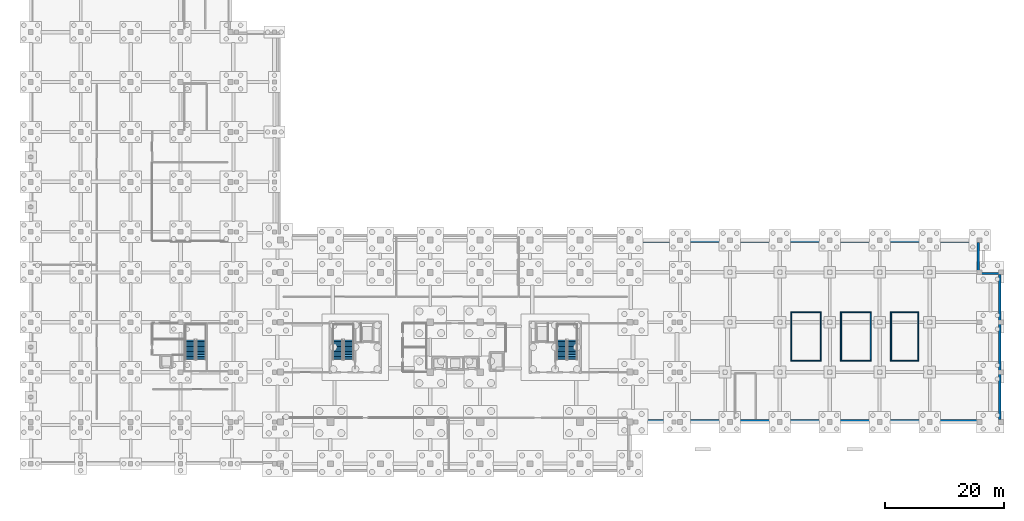
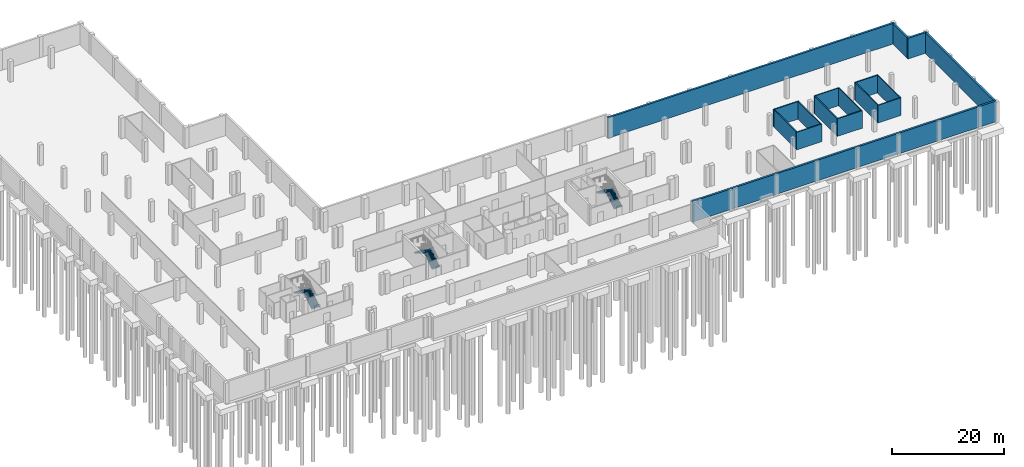
# One storey, part 14 of 17: 17 walls, 6 stair flights, 3 elements without a shape of their own.
"""IFC4 building model written with IfcOpenShell, lengths in metres."""

from ifc_helpers import new_model, si_unit, direction, frame, frame_2d, origin, place, context, subcontext, project, spatial, polyline, rectangle, outline, extrude, material, layer, layer_set, type_object, element, aggregate, save


model = new_model("IFC4")

# Units and contexts
model_context = context("Model", 3, precision=1e-05, world=origin(), true_north=direction((0.0, 1.0)))
body_context = subcontext(model_context, "Body", "Model", "MODEL_VIEW")
ifc_project = project(units=[si_unit("LENGTHUNIT", "METRE"), si_unit("AREAUNIT", "SQUARE_METRE"), si_unit("VOLUMEUNIT", "CUBIC_METRE"), si_unit("PLANEANGLEUNIT", "RADIAN"), si_unit("MASSUNIT", "GRAM", prefix="KILO")], contexts=[model_context])

# Site, building, storey
site_placement = place(None, origin())
site = spatial("IfcSite", under=ifc_project, at=site_placement, CompositionType="ELEMENT")
building_placement = place(site_placement, origin())
building = spatial("IfcBuilding", under=site, at=building_placement, Name="Telukmera Botanical Conservatory", CompositionType="ELEMENT")
storey_placement = place(building_placement, frame((0.0, 0.0, -4.5)))
storey = spatial("IfcBuildingStorey", under=building, at=storey_placement, Name="B1", CompositionType="ELEMENT", Elevation=-4.5)

# Walls
ifc_material = material(Name="Concrete C40/50", Category="concrete")
ifc_layer_1 = layer(ifc_material, 0.39990234375)
ifc_layer_set_1 = layer_set([ifc_layer_1], Name="Concrete C40/50")
wall_type_1 = type_object("IfcWallType", Name="Wall_RW1", PredefinedType="USERDEFINED", material=ifc_layer_set_1)
wall_1_placement = place(storey_placement, frame((108.800048828125, 17.800048828125, 0.0), z_axis=(0.0, 0.0, 1.0), x_axis=(1.0, 0.0, 0.0)))
element("IfcWall", 1, at=wall_1_placement, inside=storey, type_object=wall_type_1, Name="Basement Perimeter Retaining Wall RW1-05", ObjectType="RETAININGWALL", PredefinedType="USERDEFINED", context=body_context, shape_type="SweptSolid", body=[
    extrude(rectangle(XDim=62.800048828125, YDim=0.39990234375, at=frame_2d((31.39990234375, 0.0))), origin(), (0.0, 0.0, 1.0), 4.5),
])
wall_2_placement = place(storey_placement, frame((171.39990234375, 18.0, 0.0), z_axis=(0.0, 0.0, 1.0), x_axis=(0.0, 1.0, 0.0)))
element("IfcWall", 2, at=wall_2_placement, inside=storey, type_object=wall_type_1, Name="Basement Perimeter Retaining Wall RW1-06", ObjectType="RETAININGWALL", PredefinedType="USERDEFINED", context=body_context, shape_type="SweptSolid", body=[
    extrude(rectangle(XDim=24.39990234375, YDim=0.39990234375, at=frame_2d((12.199951171875, 0.0))), origin(), (0.0, 0.0, 1.0), 4.5),
])
wall_3_placement = place(storey_placement, frame((171.60009765625, 42.60009765625, 0.0), z_axis=(0.0, 0.0, 1.0), x_axis=(-1.0, 0.0, 0.0)))
element("IfcWall", 3, at=wall_3_placement, inside=storey, type_object=wall_type_1, Name="Basement Perimeter Retaining Wall RW1-07", ObjectType="RETAININGWALL", PredefinedType="USERDEFINED", context=body_context, shape_type="SweptSolid", body=[
    extrude(rectangle(XDim=4.0, YDim=0.39990234375, at=frame_2d((2.0, 0.0))), origin(), (0.0, 0.0, 1.0), 4.5),
])
wall_4_placement = place(storey_placement, frame((167.800048828125, 42.800048828125, 0.0), z_axis=(0.0, 0.0, 1.0), x_axis=(0.0, 1.0, 0.0)))
element("IfcWall", 4, at=wall_4_placement, inside=storey, type_object=wall_type_1, Name="Basement Perimeter Retaining Wall RW1-08", ObjectType="RETAININGWALL", PredefinedType="USERDEFINED", context=body_context, shape_type="SweptSolid", body=[
    extrude(rectangle(XDim=5.0, YDim=0.39990234375, at=frame_2d((2.5, 0.0))), origin(), (0.0, 0.0, 1.0), 4.5),
])
wall_5_placement = place(storey_placement, frame((168.0, 48.0, 0.0), z_axis=(0.0, 0.0, 1.0), x_axis=(-1.0, 0.0, 0.0)))
element("IfcWall", 5, at=wall_5_placement, inside=storey, type_object=wall_type_1, Name="Basement Perimeter Retaining Wall RW1-09", ObjectType="RETAININGWALL", PredefinedType="USERDEFINED", context=body_context, shape_type="SweptSolid", body=[
    extrude(rectangle(XDim=59.199951171875, YDim=0.39990234375, at=frame_2d((29.60009765625, 0.0))), origin(), (0.0, 0.0, 1.0), 4.5),
])
ifc_layer_2 = layer(ifc_material, 0.199951171875)
ifc_layer_set_2 = layer_set([ifc_layer_2], Name="Concrete C40/50")
wall_type_2 = type_object("IfcWallType", Name="Wall_TW1", PredefinedType="SOLIDWALL", material=ifc_layer_set_2)
for number, where, z_axis, x_axis, name in (
    (6, (136.199951171875, 27.89990234375, 0.0), (0.0, 0.0, 1.0), (1.0, 0.0, 0.0), "Conservatory Soil Bed Trough Substructure Wall 1-S"),
    (7, (136.199951171875, 36.10009765625, 0.0), (0.0, 0.0, 1.0), (1.0, 0.0, 0.0), "Conservatory Soil Bed Trough Substructure Wall 1-N"),
):
    element("IfcWall", number, at=place(storey_placement, frame(where, z_axis=z_axis, x_axis=x_axis)), inside=storey, type_object=wall_type_2, Name=name, PredefinedType="SOLIDWALL", context=body_context, shape_type="SweptSolid", body=[
        extrude(rectangle(XDim=5.199951171875, YDim=0.199951171875, at=frame_2d((2.60009765625, 0.0))), origin(), (0.0, 0.0, 1.0), 3.85009765625),
    ])
for number, where, z_axis, x_axis, name in (
    (8, (136.300048828125, 28.0, 0.0), (0.0, 0.0, 1.0), (0.0, 1.0, 0.0), "Conservatory Soil Bed Trough Substructure Wall 1-W"),
    (9, (141.300048828125, 28.0, 0.0), (0.0, 0.0, 1.0), (0.0, 1.0, 0.0), "Conservatory Soil Bed Trough Substructure Wall 1-E"),
):
    element("IfcWall", number, at=place(storey_placement, frame(where, z_axis=z_axis, x_axis=x_axis)), inside=storey, type_object=wall_type_2, Name=name, PredefinedType="SOLIDWALL", context=body_context, shape_type="SweptSolid", body=[
        extrude(rectangle(XDim=8.0, YDim=0.199951171875, at=frame_2d((4.0, 0.0))), origin(), (0.0, 0.0, 1.0), 3.85009765625),
    ])
for number, where, z_axis, x_axis, name in (
    (10, (144.60009765625, 27.89990234375, 0.0), (0.0, 0.0, 1.0), (1.0, 0.0, 0.0), "Conservatory Soil Bed Trough Substructure Wall 2-S"),
    (11, (144.60009765625, 36.10009765625, 0.0), (0.0, 0.0, 1.0), (1.0, 0.0, 0.0), "Conservatory Soil Bed Trough Substructure Wall 2-N"),
):
    element("IfcWall", number, at=place(storey_placement, frame(where, z_axis=z_axis, x_axis=x_axis)), inside=storey, type_object=wall_type_2, Name=name, PredefinedType="SOLIDWALL", context=body_context, shape_type="SweptSolid", body=[
        extrude(rectangle(XDim=5.199951171875, YDim=0.199951171875, at=frame_2d((2.60009765625, 0.0))), origin(), (0.0, 0.0, 1.0), 3.85009765625),
    ])
for number, where, z_axis, x_axis, name in (
    (12, (144.699951171875, 28.0, 0.0), (0.0, 0.0, 1.0), (0.0, 1.0, 0.0), "Conservatory Soil Bed Trough Substructure Wall 2-W"),
    (13, (149.699951171875, 28.0, 0.0), (0.0, 0.0, 1.0), (0.0, 1.0, 0.0), "Conservatory Soil Bed Trough Substructure Wall 2-E"),
):
    element("IfcWall", number, at=place(storey_placement, frame(where, z_axis=z_axis, x_axis=x_axis)), inside=storey, type_object=wall_type_2, Name=name, PredefinedType="SOLIDWALL", context=body_context, shape_type="SweptSolid", body=[
        extrude(rectangle(XDim=8.0, YDim=0.199951171875, at=frame_2d((4.0, 0.0))), origin(), (0.0, 0.0, 1.0), 3.85009765625),
    ])
for number, where, z_axis, x_axis, name in (
    (14, (153.0, 27.89990234375, 0.0), (0.0, 0.0, 1.0), (1.0, 0.0, 0.0), "Conservatory Soil Bed Trough Substructure Wall 3-S"),
    (15, (153.0, 36.10009765625, 0.0), (0.0, 0.0, 1.0), (1.0, 0.0, 0.0), "Conservatory Soil Bed Trough Substructure Wall 3-N"),
):
    element("IfcWall", number, at=place(storey_placement, frame(where, z_axis=z_axis, x_axis=x_axis)), inside=storey, type_object=wall_type_2, Name=name, PredefinedType="SOLIDWALL", context=body_context, shape_type="SweptSolid", body=[
        extrude(rectangle(XDim=4.800048828125, YDim=0.199951171875, at=frame_2d((2.39990234375, 0.0))), origin(), (0.0, 0.0, 1.0), 3.85009765625),
    ])
for number, where, z_axis, x_axis, name in (
    (16, (153.10009765625, 28.0, 0.0), (0.0, 0.0, 1.0), (0.0, 1.0, 0.0), "Conservatory Soil Bed Trough Substructure Wall 3-W"),
    (17, (157.699951171875, 28.0, 0.0), (0.0, 0.0, 1.0), (0.0, 1.0, 0.0), "Conservatory Soil Bed Trough Substructure Wall 3-E"),
):
    element("IfcWall", number, at=place(storey_placement, frame(where, z_axis=z_axis, x_axis=x_axis)), inside=storey, type_object=wall_type_2, Name=name, PredefinedType="SOLIDWALL", context=body_context, shape_type="SweptSolid", body=[
        extrude(rectangle(XDim=8.0, YDim=0.199951171875, at=frame_2d((4.0, 0.0))), origin(), (0.0, 0.0, 1.0), 3.85009765625),
    ])

# Stair, stair flights
stair_type = type_object("IfcStairType", Name="ST-ESC-4500", PredefinedType="HALF_TURN_STAIR", material=ifc_material)
stair_1_placement = place(storey_placement, origin())
stair_1 = element("IfcStair", 18, at=stair_1_placement, inside=storey, type_object=stair_type, Name="B1 Protected Escape Stair ST1", PredefinedType="HALF_TURN_STAIR")
stair_flight_type = type_object("IfcStairFlightType", Name="SF-ESC-4500", PredefinedType="STRAIGHT", material=ifc_material)
stair_flight_1_placement = place(storey_placement, frame((61.89990234375, 28.090087890625, 0.0), z_axis=(0.0, 0.0, 1.0), x_axis=(0.0, 1.0, 0.0)))
stair_flight_1 = element("IfcStairFlight", 19, at=stair_flight_1_placement, type_object=stair_flight_type, Name="ST1 flight 1", NumberOfRisers=13, NumberOfTreads=12, PredefinedType="STRAIGHT", RiserHeight=0.173076923, TreadLength=0.28, context=body_context, shape_type="SweptSolid", body=[
    extrude(outline(polyline([(0.0, 0.0), (0.0, 0.173095703125), (0.280029296875, 0.173095703125), (0.280029296875, 0.34619140625), (0.56005859375, 0.34619140625), (0.56005859375, 0.519287109375), (0.840087890625, 0.519287109375), (0.840087890625, 0.6923828125), (1.1201171875, 0.6923828125), (1.1201171875, 0.865478515625), (1.39990234375, 0.865478515625), (1.39990234375, 1.03857421875), (1.679931640625, 1.03857421875), (1.679931640625, 1.21142578125), (1.9599609375, 1.21142578125), (1.9599609375, 1.384521484375), (2.239990234375, 1.384521484375), (2.239990234375, 1.5576171875), (2.52001953125, 1.5576171875), (2.52001953125, 1.730712890625), (2.800048828125, 1.730712890625), (2.800048828125, 1.90380859375), (3.080078125, 1.90380859375), (3.080078125, 2.076904296875), (3.360107421875, 2.076904296875), (3.360107421875, 2.25), (3.360107421875, 1.888916015625), (0.30419921875, 0.0), (0.0, 0.0)])), frame((0.0, 0.830078125, 0.0), z_axis=(0.0, -1.0, 0.0), x_axis=(1.0, 0.0, 0.0)), (0.0, 0.0, 1.0), 1.659912109375),
])
stair_flight_2_placement = place(storey_placement, frame((60.080078125, 31.449951171875, 2.25), z_axis=(0.0, 0.0, 1.0), x_axis=(0.0, -1.0, 0.0)))
stair_flight_2 = element("IfcStairFlight", 20, at=stair_flight_2_placement, type_object=stair_flight_type, Name="ST1 flight 2", NumberOfRisers=13, NumberOfTreads=12, PredefinedType="STRAIGHT", RiserHeight=0.173076923, TreadLength=0.28, context=body_context, shape_type="SweptSolid", body=[
    extrude(outline(polyline([(0.0, 0.0), (0.0, 0.173095703125), (0.280029296875, 0.173095703125), (0.280029296875, 0.34619140625), (0.56005859375, 0.34619140625), (0.56005859375, 0.519287109375), (0.840087890625, 0.519287109375), (0.840087890625, 0.6923828125), (1.1201171875, 0.6923828125), (1.1201171875, 0.865478515625), (1.39990234375, 0.865478515625), (1.39990234375, 1.03857421875), (1.679931640625, 1.03857421875), (1.679931640625, 1.21142578125), (1.9599609375, 1.21142578125), (1.9599609375, 1.384521484375), (2.239990234375, 1.384521484375), (2.239990234375, 1.5576171875), (2.52001953125, 1.5576171875), (2.52001953125, 1.730712890625), (2.800048828125, 1.730712890625), (2.800048828125, 1.90380859375), (3.080078125, 1.90380859375), (3.080078125, 2.076904296875), (3.360107421875, 2.076904296875), (3.360107421875, 2.25), (3.360107421875, 1.888916015625), (0.30419921875, 0.0), (0.0, 0.0)])), frame((0.0, 0.830078125, 0.0), z_axis=(0.0, -1.0, 0.0), x_axis=(1.0, 0.0, 0.0)), (0.0, 0.0, 1.0), 1.659912109375),
])
aggregate(stair_1, [stair_flight_1, stair_flight_2])

stair_2_placement = place(storey_placement, origin())
stair_2 = element("IfcStair", 21, at=stair_2_placement, inside=storey, type_object=stair_type, Name="B1 Protected Escape Stair ST2", PredefinedType="HALF_TURN_STAIR")
stair_flight_3_placement = place(storey_placement, frame((99.52001953125, 28.090087890625, 0.0), z_axis=(0.0, 0.0, 1.0), x_axis=(0.0, 1.0, 0.0)))
stair_flight_3 = element("IfcStairFlight", 22, at=stair_flight_3_placement, type_object=stair_flight_type, Name="ST2 flight 1", NumberOfRisers=13, NumberOfTreads=12, PredefinedType="STRAIGHT", RiserHeight=0.173076923, TreadLength=0.28, context=body_context, shape_type="SweptSolid", body=[
    extrude(outline(polyline([(0.0, 0.0), (0.0, 0.173095703125), (0.280029296875, 0.173095703125), (0.280029296875, 0.34619140625), (0.56005859375, 0.34619140625), (0.56005859375, 0.519287109375), (0.840087890625, 0.519287109375), (0.840087890625, 0.6923828125), (1.1201171875, 0.6923828125), (1.1201171875, 0.865478515625), (1.39990234375, 0.865478515625), (1.39990234375, 1.03857421875), (1.679931640625, 1.03857421875), (1.679931640625, 1.21142578125), (1.9599609375, 1.21142578125), (1.9599609375, 1.384521484375), (2.239990234375, 1.384521484375), (2.239990234375, 1.5576171875), (2.52001953125, 1.5576171875), (2.52001953125, 1.730712890625), (2.800048828125, 1.730712890625), (2.800048828125, 1.90380859375), (3.080078125, 1.90380859375), (3.080078125, 2.076904296875), (3.360107421875, 2.076904296875), (3.360107421875, 2.25), (3.360107421875, 1.888916015625), (0.30419921875, 0.0), (0.0, 0.0)])), frame((0.0, 0.830078125, 0.0), z_axis=(0.0, -1.0, 0.0), x_axis=(1.0, 0.0, 0.0)), (0.0, 0.0, 1.0), 1.659912109375),
])
stair_flight_4_placement = place(storey_placement, frame((97.699951171875, 31.449951171875, 2.25), z_axis=(0.0, 0.0, 1.0), x_axis=(0.0, -1.0, 0.0)))
stair_flight_4 = element("IfcStairFlight", 23, at=stair_flight_4_placement, type_object=stair_flight_type, Name="ST2 flight 2", NumberOfRisers=13, NumberOfTreads=12, PredefinedType="STRAIGHT", RiserHeight=0.173076923, TreadLength=0.28, context=body_context, shape_type="SweptSolid", body=[
    extrude(outline(polyline([(0.0, 0.0), (0.0, 0.173095703125), (0.280029296875, 0.173095703125), (0.280029296875, 0.34619140625), (0.56005859375, 0.34619140625), (0.56005859375, 0.519287109375), (0.840087890625, 0.519287109375), (0.840087890625, 0.6923828125), (1.1201171875, 0.6923828125), (1.1201171875, 0.865478515625), (1.39990234375, 0.865478515625), (1.39990234375, 1.03857421875), (1.679931640625, 1.03857421875), (1.679931640625, 1.21142578125), (1.9599609375, 1.21142578125), (1.9599609375, 1.384521484375), (2.239990234375, 1.384521484375), (2.239990234375, 1.5576171875), (2.52001953125, 1.5576171875), (2.52001953125, 1.730712890625), (2.800048828125, 1.730712890625), (2.800048828125, 1.90380859375), (3.080078125, 1.90380859375), (3.080078125, 2.076904296875), (3.360107421875, 2.076904296875), (3.360107421875, 2.25), (3.360107421875, 1.888916015625), (0.30419921875, 0.0), (0.0, 0.0)])), frame((0.0, 0.830078125, 0.0), z_axis=(0.0, -1.0, 0.0), x_axis=(1.0, 0.0, 0.0)), (0.0, 0.0, 1.0), 1.659912109375),
])
aggregate(stair_2, [stair_flight_3, stair_flight_4])

stair_3_placement = place(storey_placement, origin())
stair_3 = element("IfcStair", 24, at=stair_3_placement, inside=storey, type_object=stair_type, Name="B1 Protected Escape Stair ST3", PredefinedType="HALF_TURN_STAIR")
stair_flight_5_placement = place(storey_placement, frame((37.050048828125, 28.090087890625, 0.0), z_axis=(0.0, 0.0, 1.0), x_axis=(0.0, 1.0, 0.0)))
stair_flight_5 = element("IfcStairFlight", 25, at=stair_flight_5_placement, type_object=stair_flight_type, Name="ST3 flight 1", NumberOfRisers=13, NumberOfTreads=12, PredefinedType="STRAIGHT", RiserHeight=0.173076923, TreadLength=0.28, context=body_context, shape_type="SweptSolid", body=[
    extrude(outline(polyline([(0.0, 0.0), (0.0, 0.173095703125), (0.280029296875, 0.173095703125), (0.280029296875, 0.34619140625), (0.56005859375, 0.34619140625), (0.56005859375, 0.519287109375), (0.840087890625, 0.519287109375), (0.840087890625, 0.6923828125), (1.1201171875, 0.6923828125), (1.1201171875, 0.865478515625), (1.39990234375, 0.865478515625), (1.39990234375, 1.03857421875), (1.679931640625, 1.03857421875), (1.679931640625, 1.21142578125), (1.9599609375, 1.21142578125), (1.9599609375, 1.384521484375), (2.239990234375, 1.384521484375), (2.239990234375, 1.5576171875), (2.52001953125, 1.5576171875), (2.52001953125, 1.730712890625), (2.800048828125, 1.730712890625), (2.800048828125, 1.90380859375), (3.080078125, 1.90380859375), (3.080078125, 2.076904296875), (3.360107421875, 2.076904296875), (3.360107421875, 2.25), (3.360107421875, 1.888916015625), (0.30419921875, 0.0), (0.0, 0.0)])), frame((0.0, 0.830078125, 0.0), z_axis=(0.0, -1.0, 0.0), x_axis=(1.0, 0.0, 0.0)), (0.0, 0.0, 1.0), 1.659912109375),
])
stair_flight_6_placement = place(storey_placement, frame((35.22998046875, 31.449951171875, 2.25), z_axis=(0.0, 0.0, 1.0), x_axis=(0.0, -1.0, 0.0)))
stair_flight_6 = element("IfcStairFlight", 26, at=stair_flight_6_placement, type_object=stair_flight_type, Name="ST3 flight 2", NumberOfRisers=13, NumberOfTreads=12, PredefinedType="STRAIGHT", RiserHeight=0.173076923, TreadLength=0.28, context=body_context, shape_type="SweptSolid", body=[
    extrude(outline(polyline([(0.0, 0.0), (0.0, 0.173095703125), (0.280029296875, 0.173095703125), (0.280029296875, 0.34619140625), (0.56005859375, 0.34619140625), (0.56005859375, 0.519287109375), (0.840087890625, 0.519287109375), (0.840087890625, 0.6923828125), (1.1201171875, 0.6923828125), (1.1201171875, 0.865478515625), (1.39990234375, 0.865478515625), (1.39990234375, 1.03857421875), (1.679931640625, 1.03857421875), (1.679931640625, 1.21142578125), (1.9599609375, 1.21142578125), (1.9599609375, 1.384521484375), (2.239990234375, 1.384521484375), (2.239990234375, 1.5576171875), (2.52001953125, 1.5576171875), (2.52001953125, 1.730712890625), (2.800048828125, 1.730712890625), (2.800048828125, 1.90380859375), (3.080078125, 1.90380859375), (3.080078125, 2.076904296875), (3.360107421875, 2.076904296875), (3.360107421875, 2.25), (3.360107421875, 1.888916015625), (0.30419921875, 0.0), (0.0, 0.0)])), frame((0.0, 0.830078125, 0.0), z_axis=(0.0, -1.0, 0.0), x_axis=(1.0, 0.0, 0.0)), (0.0, 0.0, 1.0), 1.659912109375),
])
aggregate(stair_3, [stair_flight_5, stair_flight_6])

save(model, "model.ifc")
